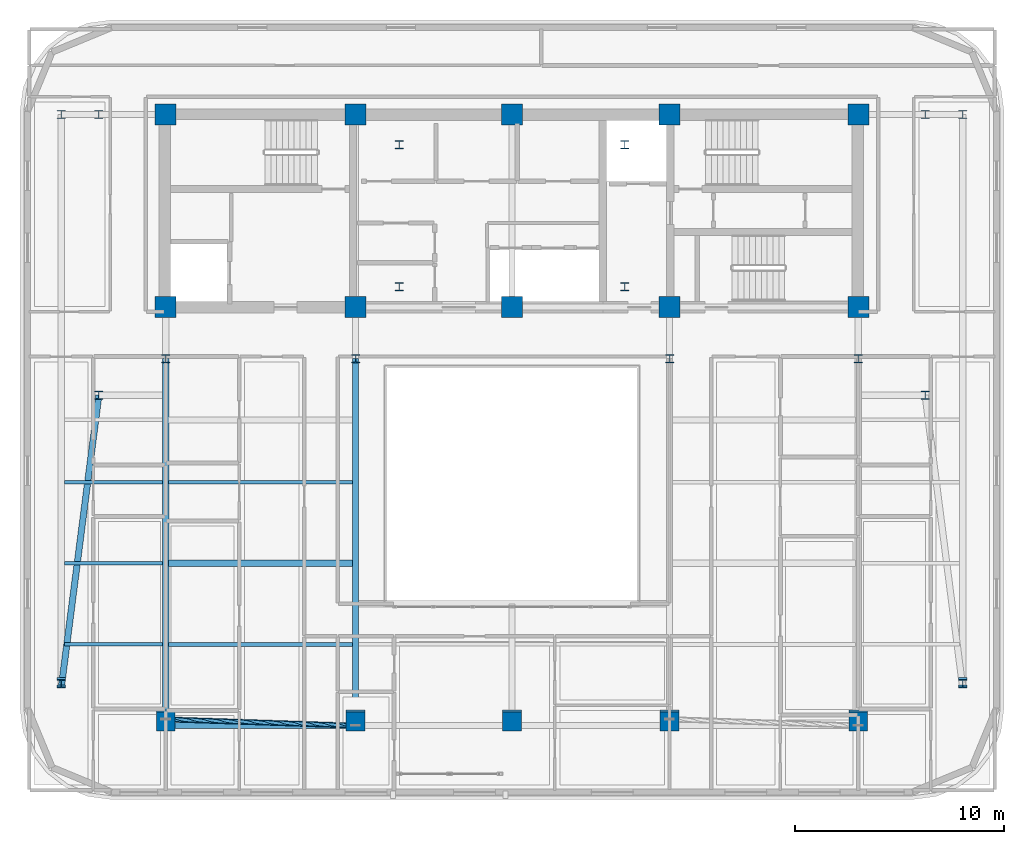
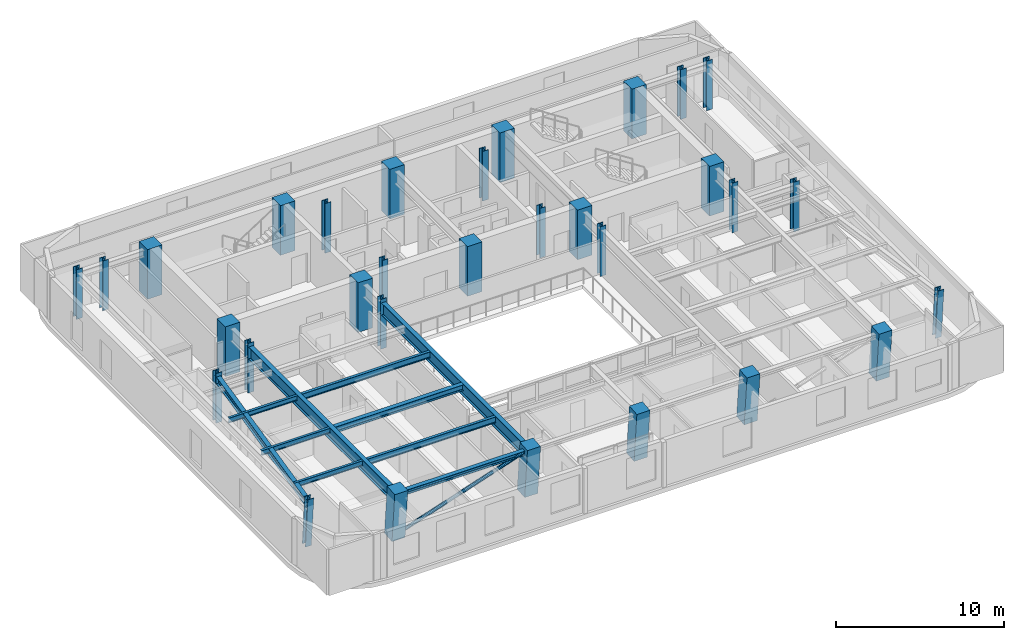
# One storey, part 1 of 15: 31 columns, 10 beams, 1 member.
"""IFC4 building model written with IfcOpenShell, lengths in metres."""

from ifc_helpers import new_model, si_unit, direction, frame, origin, origin_2d, place, context, subcontext, project, spatial, rectangle, hollow_circle, i_section, extrude, material, material_profile, profile_set, type_object, element, save


model = new_model("IFC4")

# Units and contexts
model_context = context("Model", 3, precision=1e-05, world=origin(), true_north=direction((0.0, 1.0)))
body_context = subcontext(model_context, "Body", "Model", "MODEL_VIEW")
ifc_project = project(units=[si_unit("LENGTHUNIT", "METRE"), si_unit("AREAUNIT", "SQUARE_METRE"), si_unit("VOLUMEUNIT", "CUBIC_METRE"), si_unit("PLANEANGLEUNIT", "RADIAN"), si_unit("MASSUNIT", "GRAM", prefix="KILO")], contexts=[model_context])

# Site, building, storey
site_placement = place(None, origin())
site = spatial("IfcSite", under=ifc_project, at=site_placement, CompositionType="ELEMENT")
building_placement = place(site_placement, origin())
building = spatial("IfcBuilding", under=site, at=building_placement, Name="Zarnavel Station Tower", CompositionType="ELEMENT")
storey_placement = place(building_placement, frame((0.0, 0.0, 200.39990234375)))
storey = spatial("IfcBuildingStorey", under=building, at=storey_placement, Name="L54", CompositionType="ELEMENT", Elevation=200.39990234375)

# Columns
ifc_material_1 = material(Name="Steel S355J2", Category="steel")
ifc_material_profile_1 = material_profile(ifc_material_1, i_section(OverallWidth=0.407958984375, OverallDepth=0.39990234375, WebThickness=0.02490234375, FlangeThickness=0.0390625, FilletRadius=0.014892578125, at=origin_2d()), Name="HD400x287")
ifc_profile_set_1 = profile_set([ifc_material_profile_1], Name="Steel S355J2")
column_type_1 = type_object("IfcColumnType", Name="EC_HD287", PredefinedType="COLUMN", material=ifc_profile_set_1)
column_1_placement = place(storey_placement, frame((7.199951171875, 9.8623046875, 0.0), z_axis=(0.0, -0.079833884609, 0.996808181582), x_axis=(1.0, 0.0, 0.0)))
element("IfcColumn", 1, at=column_1_placement, inside=storey, type_object=column_type_1, Name="L54 Raked Wing Column 1", PredefinedType="COLUMN", context=body_context, shape_type="SweptSolid", body=[
    extrude(i_section(OverallWidth=0.407958984375, OverallDepth=0.39990234375, WebThickness=0.02490234375, FlangeThickness=0.0390625, FilletRadius=0.014892578125, at=origin_2d()), origin(), (0.0, 0.0, 1.0), 3.611572265625),
])
column_2_placement = place(storey_placement, frame((7.199951171875, 37.050048828125, 0.0), z_axis=(0.0, 0.0, 1.0), x_axis=(1.0, 0.0, 0.0)))
element("IfcColumn", 2, at=column_2_placement, inside=storey, type_object=column_type_1, Name="L54 Outer Wing North Column 1", PredefinedType="COLUMN", context=body_context, shape_type="SweptSolid", body=[
    extrude(i_section(OverallWidth=0.407958984375, OverallDepth=0.39990234375, WebThickness=0.02490234375, FlangeThickness=0.0390625, FilletRadius=0.014892578125, at=origin_2d()), origin(), (0.0, 0.0, 1.0), 3.60009765625),
])
column_3_placement = place(storey_placement, frame((50.39990234375, 9.8623046875, 0.0), z_axis=(0.0, -0.079833884609, 0.996808181582), x_axis=(1.0, 0.0, 0.0)))
element("IfcColumn", 3, at=column_3_placement, inside=storey, type_object=column_type_1, Name="L54 Raked Wing Column 2", PredefinedType="COLUMN", context=body_context, shape_type="SweptSolid", body=[
    extrude(i_section(OverallWidth=0.407958984375, OverallDepth=0.39990234375, WebThickness=0.02490234375, FlangeThickness=0.0390625, FilletRadius=0.014892578125, at=origin_2d()), origin(), (0.0, 0.0, 1.0), 3.611572265625),
])
column_4_placement = place(storey_placement, frame((50.39990234375, 37.050048828125, 0.0), z_axis=(0.0, 0.0, 1.0), x_axis=(1.0, 0.0, 0.0)))
element("IfcColumn", 4, at=column_4_placement, inside=storey, type_object=column_type_1, Name="L54 Outer Wing North Column 2", PredefinedType="COLUMN", context=body_context, shape_type="SweptSolid", body=[
    extrude(i_section(OverallWidth=0.407958984375, OverallDepth=0.39990234375, WebThickness=0.02490234375, FlangeThickness=0.0390625, FilletRadius=0.014892578125, at=origin_2d()), origin(), (0.0, 0.0, 1.0), 3.60009765625),
])
ifc_material_2 = material(Name="Steel S355J2", Category="steel")
ifc_material_profile_2 = material_profile(ifc_material_2, i_section(OverallWidth=0.407958984375, OverallDepth=0.39990234375, WebThickness=0.02490234375, FlangeThickness=0.0390625, FilletRadius=0.014892578125, at=origin_2d()), Name="HD400x287")
ifc_profile_set_2 = profile_set([ifc_material_profile_2], Name="Steel S355J2")
column_type_2 = type_object("IfcColumnType", Name="IC_HD287", PredefinedType="COLUMN", material=ifc_profile_set_2)
for number, where, z_axis, x_axis, name in (
    (5, (23.39990234375, 28.800048828125, 0.0), (0.0, 0.0, 1.0), (1.0, 0.0, 0.0), "L54 Mast Spine Column 1"),
    (6, (34.199951171875, 28.800048828125, 0.0), (0.0, 0.0, 1.0), (1.0, 0.0, 0.0), "L54 Mast Spine Column 2"),
    (7, (34.199951171875, 35.60009765625, 0.0), (0.0, 0.0, 1.0), (1.0, 0.0, 0.0), "L54 Mast Spine Column 3"),
    (8, (23.39990234375, 35.60009765625, 0.0), (0.0, 0.0, 1.0), (1.0, 0.0, 0.0), "L54 Mast Spine Column 4"),
    (9, (12.199951171875, 25.35009765625, 0.0), (0.0, 0.0, 1.0), (1.0, 0.0, 0.0), "L54 Inner Spine Column 1"),
    (10, (21.300048828125, 25.35009765625, 0.0), (0.0, 0.0, 1.0), (1.0, 0.0, 0.0), "L54 Inner Spine Column 2"),
    (11, (36.35009765625, 25.35009765625, 0.0), (0.0, 0.0, 1.0), (1.0, 0.0, 0.0), "L54 Inner Spine Column 4"),
    (12, (45.39990234375, 25.35009765625, 0.0), (0.0, 0.0, 1.0), (1.0, 0.0, 0.0), "L54 Inner Spine Column 5"),
    (13, (9.0, 23.60009765625, 0.0), (0.0, 0.0, 1.0), (1.0, 0.0, 0.0), "L54 Inner Wing Spine Column 1-1"),
    (14, (9.0, 37.050048828125, 0.0), (0.0, 0.0, 1.0), (1.0, 0.0, 0.0), "L54 Inner Wing Spine Column 1-2"),
    (15, (48.60009765625, 23.60009765625, 0.0), (0.0, 0.0, 1.0), (1.0, 0.0, 0.0), "L54 Inner Wing Spine Column 2-1"),
    (16, (48.60009765625, 37.050048828125, 0.0), (0.0, 0.0, 1.0), (1.0, 0.0, 0.0), "L54 Inner Wing Spine Column 2-2"),
):
    element("IfcColumn", number, at=place(storey_placement, frame(where, z_axis=z_axis, x_axis=x_axis)), inside=storey, type_object=column_type_2, Name=name, PredefinedType="COLUMN", context=body_context, shape_type="SweptSolid", body=[
        extrude(i_section(OverallWidth=0.407958984375, OverallDepth=0.39990234375, WebThickness=0.02490234375, FlangeThickness=0.0390625, FilletRadius=0.014892578125, at=origin_2d()), origin(), (0.0, 0.0, 1.0), 3.60009765625),
    ])
ifc_material_3 = material(Name="Concrete C50/60", Category="concrete")
ifc_material_profile_3 = material_profile(ifc_material_3, rectangle(XDim=1.0, YDim=1.0, at=origin_2d()), Name="RC1000x1000")
ifc_profile_set_3 = profile_set([ifc_material_profile_3], Name="Concrete C50/60")
column_type_3 = type_object("IfcColumnType", Name="IC_RC1000", PredefinedType="COLUMN", material=ifc_profile_set_3)
for number, where, z_axis, x_axis, name in (
    (17, (12.199951171875, 27.820068359375, 0.0), (0.0, 0.0, 1.0), (1.0, 0.0, 0.0), "L54 Core Spine Column 1-1"),
    (18, (12.199951171875, 37.050048828125, 0.0), (0.0, 0.0, 1.0), (1.0, 0.0, 0.0), "L54 Core Spine Column 1-2"),
    (19, (21.300048828125, 27.820068359375, 0.0), (0.0, 0.0, 1.0), (1.0, 0.0, 0.0), "L54 Core Spine Column 2-1"),
    (20, (21.300048828125, 37.050048828125, 0.0), (0.0, 0.0, 1.0), (1.0, 0.0, 0.0), "L54 Core Spine Column 2-2"),
    (21, (28.800048828125, 27.820068359375, 0.0), (0.0, 0.0, 1.0), (1.0, 0.0, 0.0), "L54 Core Spine Column 3-1"),
    (22, (28.800048828125, 37.050048828125, 0.0), (0.0, 0.0, 1.0), (1.0, 0.0, 0.0), "L54 Core Spine Column 3-2"),
    (23, (36.35009765625, 27.820068359375, 0.0), (0.0, 0.0, 1.0), (1.0, 0.0, 0.0), "L54 Core Spine Column 4-1"),
    (24, (36.35009765625, 37.050048828125, 0.0), (0.0, 0.0, 1.0), (1.0, 0.0, 0.0), "L54 Core Spine Column 4-2"),
    (25, (45.39990234375, 27.820068359375, 0.0), (0.0, 0.0, 1.0), (1.0, 0.0, 0.0), "L54 Core Spine Column 5-1"),
    (26, (45.39990234375, 37.050048828125, 0.0), (0.0, 0.0, 1.0), (1.0, 0.0, 0.0), "L54 Core Spine Column 5-2"),
):
    element("IfcColumn", number, at=place(storey_placement, frame(where, z_axis=z_axis, x_axis=x_axis)), inside=storey, type_object=column_type_3, Name=name, PredefinedType="COLUMN", context=body_context, shape_type="SweptSolid", body=[
        extrude(rectangle(XDim=1.0, YDim=1.0, at=origin_2d()), origin(), (0.0, 0.0, 1.0), 3.60009765625),
    ])
ifc_material_4 = material(Name="Concrete C50/60", Category="concrete")
ifc_material_profile_4 = material_profile(ifc_material_4, rectangle(XDim=0.89990234375, YDim=0.89990234375, at=origin_2d()), Name="RC900x900")
ifc_profile_set_4 = profile_set([ifc_material_profile_4], Name="Concrete C50/60")
column_type_4 = type_object("IfcColumnType", Name="MC_RC900", PredefinedType="COLUMN", material=ifc_profile_set_4)
for number, where, z_axis, x_axis, name in (
    (27, (12.199951171875, 8.067626953125, 0.0), (0.0, -0.090231265542, 0.995920839584), (1.0, 0.0, 0.0), "L54 Raked South Mega-Column 1"),
    (28, (21.300048828125, 8.067626953125, 0.0), (0.0, -0.090231265542, 0.995920839584), (1.0, 0.0, 0.0), "L54 Raked South Mega-Column 2"),
    (29, (28.800048828125, 8.067626953125, 0.0), (0.0, -0.090231265542, 0.995920839584), (1.0, 0.0, 0.0), "L54 Raked South Mega-Column 3"),
    (30, (36.35009765625, 8.067626953125, 0.0), (0.0, -0.090231265542, 0.995920839584), (1.0, 0.0, 0.0), "L54 Raked South Mega-Column 4"),
    (31, (45.39990234375, 8.067626953125, 0.0), (0.0, -0.090231265542, 0.995920839584), (1.0, 0.0, 0.0), "L54 Raked South Mega-Column 5"),
):
    element("IfcColumn", number, at=place(storey_placement, frame(where, z_axis=z_axis, x_axis=x_axis)), inside=storey, type_object=column_type_4, Name=name, PredefinedType="COLUMN", context=body_context, shape_type="SweptSolid", body=[
        extrude(rectangle(XDim=0.89990234375, YDim=0.89990234375, at=origin_2d()), origin(), (0.0, 0.0, 1.0), 3.61474609375),
    ])

# Member
ifc_material_5 = material(Name="Steel S355J2", Category="steel")
ifc_material_profile_5 = material_profile(ifc_material_5, hollow_circle(Radius=0.122314453125, WallThickness=0.010009765625, at=origin_2d()), Name="CHS244.5x10")
ifc_profile_set_5 = profile_set([ifc_material_profile_5], Name="Steel S355J2")
member_type = type_object("IfcMemberType", Name="DB_EXT_CHS245", PredefinedType="BRACE", material=ifc_profile_set_5)
member_placement = place(storey_placement, frame((12.199951171875, 8.067626953125, 0.0), z_axis=(0.938306665035, -0.031189621666, 0.344394845854), x_axis=(0.033221979641, 0.999447997681, 0.0)))
element("IfcMember", 32, at=member_placement, inside=storey, type_object=member_type, Name="L54 Persian Exterior Diagonal Frame Brace 1", PredefinedType="BRACE", context=body_context, shape_type="SweptSolid", body=[
    extrude(hollow_circle(Radius=0.122314453125, WallThickness=0.010009765625, at=origin_2d()), origin(), (0.0, 0.0, 1.0), 9.698486328125),
])

# Beams
ifc_material_6 = material(Name="Steel S355J2", Category="steel")
ifc_material_profile_6 = material_profile(ifc_material_6, i_section(OverallWidth=0.300048828125, OverallDepth=0.320068359375, WebThickness=0.011474609375, FlangeThickness=0.0205078125, FilletRadius=0.027099609375, at=origin_2d()), Name="HEB320")
ifc_profile_set_6 = profile_set([ifc_material_profile_6], Name="Steel S355J2")
beam_type_1 = type_object("IfcBeamType", Name="EB_HEB320", PredefinedType="SPANDREL", material=ifc_profile_set_6)
beam_1_placement = place(storey_placement, frame((12.199951171875, 7.76513671875, 3.18017578125), z_axis=(1.0, 0.0, 0.0), x_axis=(0.0, 1.0, 0.0)))
element("IfcBeam", 33, at=beam_1_placement, inside=storey, type_object=beam_type_1, Name="L54 South Raked Spandrel 1", PredefinedType="SPANDREL", context=body_context, shape_type="SweptSolid", body=[
    extrude(i_section(OverallWidth=0.300048828125, OverallDepth=0.320068359375, WebThickness=0.011474609375, FlangeThickness=0.0205078125, FilletRadius=0.027099609375, at=origin_2d()), origin(), (0.0, 0.0, 1.0), 9.10009765625),
])
ifc_material_7 = material(Name="Steel S355J2", Category="steel")
ifc_material_profile_7 = material_profile(ifc_material_7, i_section(OverallWidth=0.300048828125, OverallDepth=0.43994140625, WebThickness=0.011474609375, FlangeThickness=0.02099609375, FilletRadius=0.027099609375, at=origin_2d()), Name="HEA450")
ifc_profile_set_7 = profile_set([ifc_material_profile_7], Name="Steel S355J2")
beam_type_2 = type_object("IfcBeamType", Name="FB_HEA450", PredefinedType="BEAM", material=ifc_profile_set_7)
beam_2_placement = place(storey_placement, frame((12.344970703125, 15.5390625, 3.1201171875), z_axis=(1.0, 0.0, 0.0), x_axis=(0.0, 1.0, 0.0)))
element("IfcBeam", 34, at=beam_2_placement, inside=storey, type_object=beam_type_2, Name="L54 West Bay Beam 2", PredefinedType="BEAM", context=body_context, shape_type="SweptSolid", body=[
    extrude(i_section(OverallWidth=0.300048828125, OverallDepth=0.43994140625, WebThickness=0.011474609375, FlangeThickness=0.02099609375, FilletRadius=0.027099609375, at=origin_2d()), origin(), (0.0, 0.0, 1.0), 8.81005859375),
])
ifc_material_8 = material(Name="Steel S355J2", Category="steel")
ifc_material_profile_8 = material_profile(ifc_material_8, i_section(OverallWidth=0.18994140625, OverallDepth=0.449951171875, WebThickness=0.009521484375, FlangeThickness=0.0146484375, FilletRadius=0.02099609375, at=origin_2d()), Name="IPE450")
ifc_profile_set_8 = profile_set([ifc_material_profile_8], Name="Steel S355J2")
beam_type_3 = type_object("IfcBeamType", Name="FB_IPE450", PredefinedType="BEAM", material=ifc_profile_set_8)
for number, where, z_axis, x_axis, name in (
    (35, (12.344970703125, 11.652099609375, 3.114990234375), (1.0, 0.0, 0.0), (0.0, 1.0, 0.0), "L54 West Bay Beam 1"),
    (36, (12.344970703125, 19.426025390625, 3.114990234375), (1.0, 0.0, 0.0), (0.0, 1.0, 0.0), "L54 West Bay Beam 3"),
):
    element("IfcBeam", number, at=place(storey_placement, frame(where, z_axis=z_axis, x_axis=x_axis)), inside=storey, type_object=beam_type_3, Name=name, PredefinedType="BEAM", context=body_context, shape_type="SweptSolid", body=[
        extrude(i_section(OverallWidth=0.18994140625, OverallDepth=0.449951171875, WebThickness=0.009521484375, FlangeThickness=0.0146484375, FilletRadius=0.02099609375, at=origin_2d()), origin(), (0.0, 0.0, 1.0), 8.81005859375),
    ])
ifc_material_9 = material(Name="Steel S355J2", Category="steel")
ifc_material_profile_9 = material_profile(ifc_material_9, i_section(OverallWidth=0.300048828125, OverallDepth=0.5, WebThickness=0.014404296875, FlangeThickness=0.028076171875, FilletRadius=0.027099609375, at=origin_2d()), Name="HEB500")
ifc_profile_set_9 = profile_set([ifc_material_profile_9], Name="Steel S355J2")
beam_type_4 = type_object("IfcBeamType", Name="FG_HEB500", PredefinedType="USERDEFINED", material=ifc_profile_set_9)
beam_3_placement = place(storey_placement, frame((7.199951171875, 9.5947265625, 3.090087890625), z_axis=(0.127477034225, 0.991841522495, 0.0), x_axis=(-0.991841522495, 0.127477034225, 0.0)))
element("IfcBeam", 37, at=beam_3_placement, inside=storey, type_object=beam_type_4, Name="L54 West Wing South Tie 1", ObjectType="GIRDER", PredefinedType="USERDEFINED", context=body_context, shape_type="SweptSolid", body=[
    extrude(i_section(OverallWidth=0.300048828125, OverallDepth=0.5, WebThickness=0.014404296875, FlangeThickness=0.028076171875, FilletRadius=0.027099609375, at=origin_2d()), origin(), (0.0, 0.0, 1.0), 14.12060546875),
])
ifc_material_10 = material(Name="Steel S355J2", Category="steel")
ifc_material_profile_10 = material_profile(ifc_material_10, i_section(OverallWidth=0.300048828125, OverallDepth=0.89990234375, WebThickness=0.0185546875, FlangeThickness=0.034912109375, FilletRadius=0.030029296875, at=origin_2d()), Name="HEB900")
ifc_profile_set_10 = profile_set([ifc_material_profile_10], Name="Steel S355J2")
beam_type_5 = type_object("IfcBeamType", Name="FG_HEB900", PredefinedType="USERDEFINED", material=ifc_profile_set_10)
for number, where, z_axis, x_axis, name in (
    (38, (12.199951171875, 7.76513671875, 2.89013671875), (0.0, 1.0, 0.0), (-1.0, 0.0, 0.0), "L54 South-Zone NS Girder 1"),
    (39, (21.300048828125, 7.76513671875, 2.89013671875), (0.0, 1.0, 0.0), (-1.0, 0.0, 0.0), "L54 South-Zone NS Girder 2"),
):
    element("IfcBeam", number, at=place(storey_placement, frame(where, z_axis=z_axis, x_axis=x_axis)), inside=storey, type_object=beam_type_5, Name=name, ObjectType="GIRDER", PredefinedType="USERDEFINED", context=body_context, shape_type="SweptSolid", body=[
        extrude(i_section(OverallWidth=0.300048828125, OverallDepth=0.89990234375, WebThickness=0.0185546875, FlangeThickness=0.034912109375, FilletRadius=0.030029296875, at=origin_2d()), origin(), (0.0, 0.0, 1.0), 17.5849609375),
    ])
ifc_material_11 = material(Name="Steel S355J2", Category="steel")
ifc_material_profile_11 = material_profile(ifc_material_11, i_section(OverallWidth=0.169921875, OverallDepth=0.360107421875, WebThickness=0.008056640625, FlangeThickness=0.0126953125, FilletRadius=0.01806640625, at=origin_2d()), Name="IPE360")
ifc_profile_set_11 = profile_set([ifc_material_profile_11], Name="Steel S355J2")
beam_type_6 = type_object("IfcBeamType", Name="FJ_IPE360", PredefinedType="JOIST", material=ifc_profile_set_11)
for number, where, z_axis, x_axis, name in (
    (40, (7.344970703125, 11.652099609375, 3.16015625), (1.0, 0.0, 0.0), (0.0, 1.0, 0.0), "L54 West Wing Joist 1"),
    (41, (7.344970703125, 15.5390625, 3.16015625), (1.0, 0.0, 0.0), (0.0, 1.0, 0.0), "L54 West Wing Joist 2"),
    (42, (7.344970703125, 19.426025390625, 3.16015625), (1.0, 0.0, 0.0), (0.0, 1.0, 0.0), "L54 West Wing Joist 3"),
):
    element("IfcBeam", number, at=place(storey_placement, frame(where, z_axis=z_axis, x_axis=x_axis)), inside=storey, type_object=beam_type_6, Name=name, PredefinedType="JOIST", context=body_context, shape_type="SweptSolid", body=[
        extrude(i_section(OverallWidth=0.169921875, OverallDepth=0.360107421875, WebThickness=0.008056640625, FlangeThickness=0.0126953125, FilletRadius=0.01806640625, at=origin_2d()), origin(), (0.0, 0.0, 1.0), 4.7099609375),
    ])

save(model, "model.ifc")
